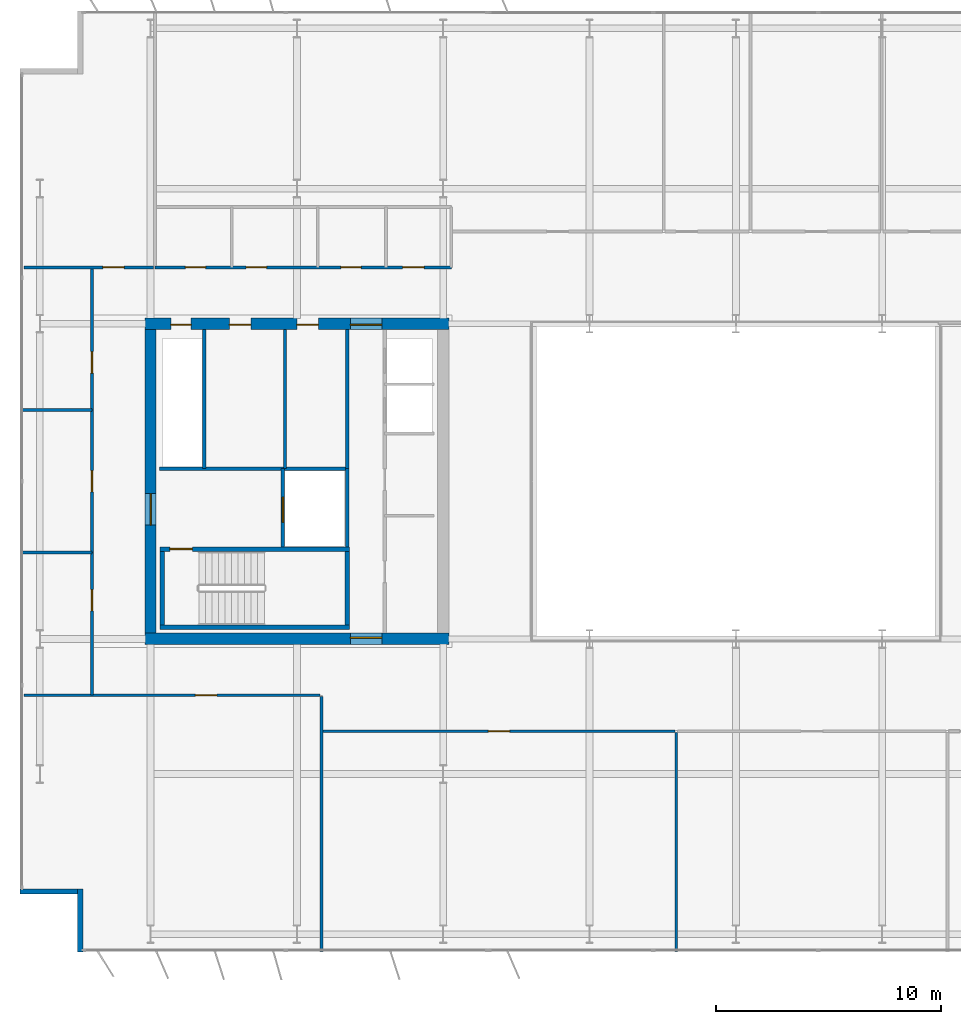
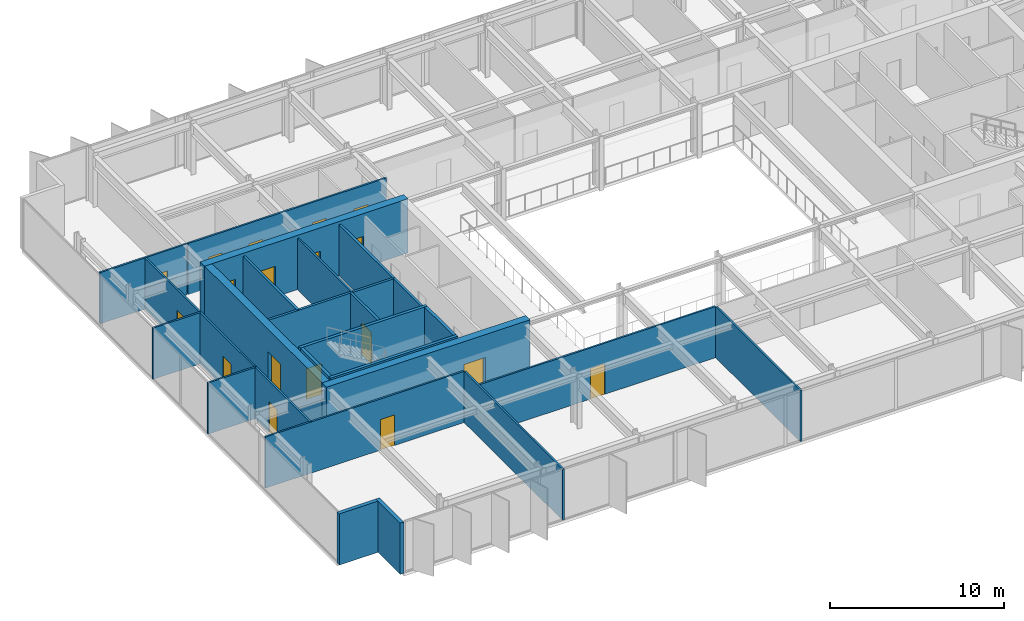
# One storey, part 11 of 19: 26 walls, 18 doors, 18 openings.
"""IFC4 building model written with IfcOpenShell, lengths in metres."""

from ifc_helpers import new_model, si_unit, direction, frame, frame_2d, origin, place, context, subcontext, project, spatial, rectangle, extrude, material, layer, layer_set, type_object, element, fill, save


model = new_model("IFC4")

# Units and contexts
model_context = context("Model", 3, precision=1e-05, world=origin(), true_north=direction((0.0, 1.0)))
body_context = subcontext(model_context, "Body", "Model", "MODEL_VIEW")
ifc_project = project(units=[si_unit("LENGTHUNIT", "METRE"), si_unit("AREAUNIT", "SQUARE_METRE"), si_unit("VOLUMEUNIT", "CUBIC_METRE"), si_unit("PLANEANGLEUNIT", "RADIAN"), si_unit("MASSUNIT", "GRAM", prefix="KILO")], contexts=[model_context])

# Site, building, storey
site_placement = place(None, origin())
site = spatial("IfcSite", under=ifc_project, at=site_placement, CompositionType="ELEMENT")
building_placement = place(site_placement, origin())
building = spatial("IfcBuilding", under=site, at=building_placement, Name="Putna Gate Headquarters", CompositionType="ELEMENT")
storey_placement = place(building_placement, frame((0.0, 0.0, 255.60009765625)))
storey = spatial("IfcBuildingStorey", under=building, at=storey_placement, Name="L64", CompositionType="ELEMENT", Elevation=255.60009765625)

# Wall, opening, door
ifc_material_1 = material(Name="Concrete C50/60", Category="concrete")
ifc_layer_1 = layer(ifc_material_1, 0.5)
ifc_layer_set_1 = layer_set([ifc_layer_1], Name="Concrete C50/60")
wall_type_1 = type_object("IfcWallType", Name="WALL-CORE-500", PredefinedType="SHEAR", material=ifc_layer_set_1)
wall_1_placement = place(storey_placement, frame((12.75, 19.0, 0.0), z_axis=(0.0, 0.0, 1.0), x_axis=(1.0, 0.0, 0.0)))
wall_1 = element("IfcWall", 1, at=wall_1_placement, inside=storey, type_object=wall_type_1, Name="L64 WC Split Core Shear Wall S", PredefinedType="SHEAR", context=body_context, shape_type="SweptSolid", body=[
    extrude(rectangle(XDim=13.5, YDim=0.5, at=frame_2d((6.75, 0.0))), origin(), (0.0, 0.0, 1.0), 3.7998046875),
])
opening_1_placement = place(wall_1_placement, frame((9.1298828125, 0.0, 0.0)))
opening_1 = element("IfcOpeningElement", 2, at=opening_1_placement, cuts=wall_1, Name="Opening FDD-140", PredefinedType="OPENING", context=body_context, shape_type="SweptSolid", body=[
    extrude(rectangle(XDim=1.39990234375, YDim=2.199951171875, at=frame_2d((0.699951171875, 1.10009765625))), frame((0.0, 0.260009765625, 0.0), z_axis=(0.0, -1.0, 0.0), x_axis=(1.0, 0.0, 0.0)), (0.0, 0.0, 1.0), 0.52001953125),
])
ifc_material_2 = material(Name="Double steel fire door", Category="steel")
door_type_1 = type_object("IfcDoorType", Name="DOOR-FIRE-DBL-1400", OperationType="DOUBLE_DOOR_SINGLE_SWING", PredefinedType="DOOR", material=ifc_material_2)
door_1_placement = place(opening_1_placement, origin())
door_1 = element("IfcDoor", 3, at=door_1_placement, inside=storey, type_object=door_type_1, Name="L64 West Lift Lobby South Door", OperationType="DOUBLE_DOOR_SINGLE_SWING", OverallHeight=2.199951171875, OverallWidth=1.39990234375, PredefinedType="DOOR", context=body_context, shape_type="SweptSolid", body=[
    extrude(rectangle(XDim=1.39990234375, YDim=2.199951171875, at=frame_2d((0.699951171875, 1.10009765625))), frame((0.0, 0.0751953125, 0.0), z_axis=(0.0, -1.0, 0.0), x_axis=(1.0, 0.0, 0.0)), (0.0, 0.0, 1.0), 0.050048828125),
])
fill(opening_1, door_1)

# Wall, openings, doors
wall_2_placement = place(storey_placement, frame((12.75, 33.0, 0.0), z_axis=(0.0, 0.0, 1.0), x_axis=(1.0, 0.0, 0.0)))
wall_2 = element("IfcWall", 4, at=wall_2_placement, inside=storey, type_object=wall_type_1, Name="L64 WC Split Core Shear Wall N", PredefinedType="SHEAR", context=body_context, shape_type="SweptSolid", body=[
    extrude(rectangle(XDim=13.5, YDim=0.5, at=frame_2d((6.75, 0.0))), origin(), (0.0, 0.0, 1.0), 3.7998046875),
])
opening_2_placement = place(wall_2_placement, frame((1.14990234375, 0.0, 0.0)))
opening_2 = element("IfcOpeningElement", 5, at=opening_2_placement, cuts=wall_2, Name="Opening RD-90", PredefinedType="OPENING", context=body_context, shape_type="SweptSolid", body=[
    extrude(rectangle(XDim=0.89990234375, YDim=2.14990234375, at=frame_2d((0.449951171875, 1.074951171875))), frame((0.0, 0.260009765625, 0.0), z_axis=(0.0, -1.0, 0.0), x_axis=(1.0, 0.0, 0.0)), (0.0, 0.0, 1.0), 0.52001953125),
])
opening_3_placement = place(wall_2_placement, frame((3.75, 0.0, 0.0)))
opening_3 = element("IfcOpeningElement", 6, at=opening_3_placement, cuts=wall_2, Name="Opening IDS-95", PredefinedType="OPENING", context=body_context, shape_type="SweptSolid", body=[
    extrude(rectangle(XDim=0.949951171875, YDim=2.14990234375, at=frame_2d((0.47509765625, 1.074951171875))), frame((0.0, 0.260009765625, 0.0), z_axis=(0.0, -1.0, 0.0), x_axis=(1.0, 0.0, 0.0)), (0.0, 0.0, 1.0), 0.52001953125),
])
opening_4_placement = place(wall_2_placement, frame((6.75, 0.0, 0.0)))
opening_4 = element("IfcOpeningElement", 7, at=opening_4_placement, cuts=wall_2, Name="Opening IDS-95", PredefinedType="OPENING", context=body_context, shape_type="SweptSolid", body=[
    extrude(rectangle(XDim=0.949951171875, YDim=2.14990234375, at=frame_2d((0.47509765625, 1.074951171875))), frame((0.0, 0.260009765625, 0.0), z_axis=(0.0, -1.0, 0.0), x_axis=(1.0, 0.0, 0.0)), (0.0, 0.0, 1.0), 0.52001953125),
])
opening_5_placement = place(wall_2_placement, frame((9.1298828125, 0.0, 0.0)))
opening_5 = element("IfcOpeningElement", 8, at=opening_5_placement, cuts=wall_2, Name="Opening FDD-140", PredefinedType="OPENING", context=body_context, shape_type="SweptSolid", body=[
    extrude(rectangle(XDim=1.39990234375, YDim=2.199951171875, at=frame_2d((0.699951171875, 1.10009765625))), frame((0.0, 0.260009765625, 0.0), z_axis=(0.0, -1.0, 0.0), x_axis=(1.0, 0.0, 0.0)), (0.0, 0.0, 1.0), 0.52001953125),
])
door_2_placement = place(opening_5_placement, origin())
door_2 = element("IfcDoor", 9, at=door_2_placement, inside=storey, type_object=door_type_1, Name="L64 West Lift Lobby North Door", OperationType="DOUBLE_DOOR_SINGLE_SWING", OverallHeight=2.199951171875, OverallWidth=1.39990234375, PredefinedType="DOOR", context=body_context, shape_type="SweptSolid", body=[
    extrude(rectangle(XDim=1.39990234375, YDim=2.199951171875, at=frame_2d((0.699951171875, 1.10009765625))), frame((0.0, -0.02490234375, 0.0), z_axis=(0.0, -1.0, 0.0), x_axis=(1.0, 0.0, 0.0)), (0.0, 0.0, 1.0), 0.050048828125),
])
fill(opening_5, door_2)
ifc_material_3 = material(Name="Fire-rated service timber door", Category="wood")
door_type_2 = type_object("IfcDoorType", Name="DOOR-INT-950", OperationType="NOTDEFINED", PredefinedType="DOOR", material=ifc_material_3)
door_3_placement = place(opening_3_placement, origin())
door_3 = element("IfcDoor", 10, at=door_3_placement, inside=storey, type_object=door_type_2, Name="L64 Cleaner Store Door", OperationType="SINGLE_SWING_LEFT", OverallHeight=2.14990234375, OverallWidth=0.949951171875, PredefinedType="DOOR", context=body_context, shape_type="SweptSolid", body=[
    extrude(rectangle(XDim=0.949951171875, YDim=2.14990234375, at=frame_2d((0.47509765625, 1.074951171875))), frame((0.0, -0.02490234375, 0.0), z_axis=(0.0, -1.0, 0.0), x_axis=(1.0, 0.0, 0.0)), (0.0, 0.0, 1.0), 0.050048828125),
])
fill(opening_3, door_3)
door_4_placement = place(opening_4_placement, origin())
door_4 = element("IfcDoor", 11, at=door_4_placement, inside=storey, type_object=door_type_2, Name="L64 Comms Plant Door", OperationType="SINGLE_SWING_RIGHT", OverallHeight=2.14990234375, OverallWidth=0.949951171875, PredefinedType="DOOR", context=body_context, shape_type="SweptSolid", body=[
    extrude(rectangle(XDim=0.949951171875, YDim=2.14990234375, at=frame_2d((0.47509765625, 1.074951171875))), frame((0.0, -0.02490234375, 0.0), z_axis=(0.0, -1.0, 0.0), x_axis=(1.0, 0.0, 0.0)), (0.0, 0.0, 1.0), 0.050048828125),
])
fill(opening_4, door_4)
ifc_material_4 = material(Name="Steel riser access fire door", Category="steel")
door_type_3 = type_object("IfcDoorType", Name="DOOR-RISER-900", OperationType="NOTDEFINED", PredefinedType="DOOR", material=ifc_material_4)
door_5_placement = place(opening_2_placement, origin())
door_5 = element("IfcDoor", 12, at=door_5_placement, inside=storey, type_object=door_type_3, Name="L64 West Riser Access Door", OperationType="SINGLE_SWING_RIGHT", OverallHeight=2.14990234375, OverallWidth=0.89990234375, PredefinedType="DOOR", context=body_context, shape_type="SweptSolid", body=[
    extrude(rectangle(XDim=0.89990234375, YDim=2.14990234375, at=frame_2d((0.449951171875, 1.074951171875))), frame((0.0, -0.02490234375, 0.0), z_axis=(0.0, -1.0, 0.0), x_axis=(1.0, 0.0, 0.0)), (0.0, 0.0, 1.0), 0.050048828125),
])
fill(opening_2, door_5)

# Wall, opening, door
wall_3_placement = place(storey_placement, frame((13.0, 19.25, 0.0), z_axis=(0.0, 0.0, 1.0), x_axis=(0.0, 1.0, 0.0)))
wall_3 = element("IfcWall", 13, at=wall_3_placement, inside=storey, type_object=wall_type_1, Name="L64 WC Split Core Shear Wall W", PredefinedType="SHEAR", context=body_context, shape_type="SweptSolid", body=[
    extrude(rectangle(XDim=13.5, YDim=0.5, at=frame_2d((6.75, 0.0))), origin(), (0.0, 0.0, 1.0), 3.7998046875),
])
opening_6_placement = place(wall_3_placement, frame((4.800048828125, 0.0, 0.0)))
opening_6 = element("IfcOpeningElement", 14, at=opening_6_placement, cuts=wall_3, Name="Opening FDD-140", PredefinedType="OPENING", context=body_context, shape_type="SweptSolid", body=[
    extrude(rectangle(XDim=1.39990234375, YDim=2.199951171875, at=frame_2d((0.699951171875, 1.10009765625))), frame((0.0, 0.260009765625, 0.0), z_axis=(0.0, -1.0, 0.0), x_axis=(1.0, 0.0, 0.0)), (0.0, 0.0, 1.0), 0.52001953125),
])
door_6_placement = place(opening_6_placement, origin())
door_6 = element("IfcDoor", 15, at=door_6_placement, inside=storey, type_object=door_type_1, Name="L64 West Firefighting Lobby Door", OperationType="DOUBLE_DOOR_SINGLE_SWING", OverallHeight=2.199951171875, OverallWidth=1.39990234375, PredefinedType="DOOR", context=body_context, shape_type="SweptSolid", body=[
    extrude(rectangle(XDim=1.39990234375, YDim=2.199951171875, at=frame_2d((0.699951171875, 1.10009765625))), frame((0.0, 0.02490234375, 0.0), z_axis=(0.0, -1.0, 0.0), x_axis=(1.0, 0.0, 0.0)), (0.0, 0.0, 1.0), 0.050048828125),
])
fill(opening_6, door_6)

# Walls
ifc_material_5 = material(Name="Precast concrete C40/50", Category="concrete")
ifc_layer_2 = layer(ifc_material_5, 0.239990234375)
ifc_layer_set_2 = layer_set([ifc_layer_2], Name="Precast concrete C40/50")
wall_type_2 = type_object("IfcWallType", Name="WALL-EXT-TERR-240", PredefinedType="STANDARD", material=ifc_layer_set_2)
wall_4_placement = place(storey_placement, frame((9.8798828125, 5.10009765625, 0.0), z_axis=(0.0, 0.0, 1.0), x_axis=(0.0, 1.0, 0.0)))
element("IfcWall", 16, at=wall_4_placement, inside=storey, type_object=wall_type_2, Name="L64 Corner Notch Return Wall SW-V", PredefinedType="STANDARD", context=body_context, shape_type="SweptSolid", body=[
    extrude(rectangle(XDim=2.7998046875, YDim=0.239990234375, at=frame_2d((1.39990234375, 0.0))), origin(), (0.0, 0.0, 1.0), 3.587890625),
])
wall_5_placement = place(storey_placement, frame((10.0, 7.780029296875, 0.0), z_axis=(0.0, 0.0, 1.0), x_axis=(-1.0, 0.0, 0.0)))
element("IfcWall", 17, at=wall_5_placement, inside=storey, type_object=wall_type_2, Name="L64 Corner Notch Return Wall SW-H", PredefinedType="STANDARD", context=body_context, shape_type="SweptSolid", body=[
    extrude(rectangle(XDim=2.800048828125, YDim=0.239990234375, at=frame_2d((1.39990234375, 0.0))), origin(), (0.0, 0.0, 1.0), 3.587890625),
])
ifc_material_6 = material(Name="Acoustic gypsum board on metal stud")
ifc_layer_3 = layer(ifc_material_6, 0.1201171875)
ifc_layer_set_3 = layer_set([ifc_layer_3], Name="Acoustic gypsum board on metal stud")
wall_type_3 = type_object("IfcWallType", Name="WALL-PART-120", PredefinedType="PARTITIONING", material=ifc_layer_set_3)
wall_6_placement = place(storey_placement, frame((20.59716796875, 5.1201171875, 0.0), z_axis=(0.0, 0.0, 1.0), x_axis=(0.0, 1.0, 0.0)))
element("IfcWall", 18, at=wall_6_placement, inside=storey, type_object=wall_type_3, Name="L64 Interior Wall PART-L64-SB-DIV-01", PredefinedType="PARTITIONING", context=body_context, shape_type="SweptSolid", body=[
    extrude(rectangle(XDim=11.31982421875, YDim=0.1201171875, at=frame_2d((5.659912109375, 0.0))), origin(), (0.0, 0.0, 1.0), 3.587890625),
])
wall_7_placement = place(storey_placement, frame((36.356689453125, 5.1201171875, 0.0), z_axis=(0.0, 0.0, 1.0), x_axis=(0.0, 1.0, 0.0)))
element("IfcWall", 19, at=wall_7_placement, inside=storey, type_object=wall_type_3, Name="L64 Interior Wall PART-L64-SB-DIV-02", PredefinedType="PARTITIONING", context=body_context, shape_type="SweptSolid", body=[
    extrude(rectangle(XDim=9.719970703125, YDim=0.1201171875, at=frame_2d((4.85986328125, 0.0))), origin(), (0.0, 0.0, 1.0), 3.587890625),
])
for number, where, z_axis, x_axis, name in (
    (20, (7.219970703125, 22.833251953125, 0.0), (0.0, 0.0, 1.0), (1.0, 0.0, 0.0), "L64 Interior Wall PART-L64-WW-DIV-1"),
    (21, (7.219970703125, 29.166748046875, 0.0), (0.0, 0.0, 1.0), (1.0, 0.0, 0.0), "L64 Interior Wall PART-L64-WW-DIV-2"),
):
    element("IfcWall", number, at=place(storey_placement, frame(where, z_axis=z_axis, x_axis=x_axis)), inside=storey, type_object=wall_type_3, Name=name, PredefinedType="PARTITIONING", context=body_context, shape_type="SweptSolid", body=[
        extrude(rectangle(XDim=3.179931640625, YDim=0.1201171875, at=frame_2d((1.58984375, 0.0))), origin(), (0.0, 0.0, 1.0), 3.587890625),
    ])
ifc_material_7 = material(Name="Fire-rated gypsum board on metal stud")
ifc_layer_4 = layer(ifc_material_7, 0.1201171875)
ifc_layer_set_4 = layer_set([ifc_layer_4], Name="Fire-rated gypsum board on metal stud")
wall_type_4 = type_object("IfcWallType", Name="WALL-PART-120-RATED", PredefinedType="PARTITIONING", material=ifc_layer_set_4)
wall_8_placement = place(storey_placement, frame((18.969970703125, 26.56005859375, 0.0), z_axis=(0.0, 0.0, 1.0), x_axis=(0.0, 1.0, 0.0)))
element("IfcWall", 22, at=wall_8_placement, inside=storey, type_object=wall_type_4, Name="L64 Interior Wall CWINT-L64-WC-K0-DIV", PredefinedType="PARTITIONING", context=body_context, shape_type="SweptSolid", body=[
    extrude(rectangle(XDim=6.18994140625, YDim=0.1201171875, at=frame_2d((3.094970703125, 0.0))), origin(), (0.0, 0.0, 1.0), 3.587890625),
])

# Wall, openings, doors
wall_9_placement = place(storey_placement, frame((13.199951171875, 35.5, 0.0), z_axis=(0.0, 0.0, 1.0), x_axis=(1.0, 0.0, 0.0)))
wall_9 = element("IfcWall", 23, at=wall_9_placement, inside=storey, type_object=wall_type_4, Name="L64 Interior Wall PART-L64-SAN-CW", PredefinedType="PARTITIONING", context=body_context, shape_type="SweptSolid", body=[
    extrude(rectangle(XDim=13.16015625, YDim=0.1201171875, at=frame_2d((6.580078125, 0.0))), origin(), (0.0, 0.0, 1.0), 3.587890625),
])
opening_7_placement = place(wall_9_placement, frame((1.35009765625, 0.0, 0.0)))
opening_7 = element("IfcOpeningElement", 24, at=opening_7_placement, cuts=wall_9, Name="Opening FD-90", PredefinedType="OPENING", context=body_context, shape_type="SweptSolid", body=[
    extrude(rectangle(XDim=0.89990234375, YDim=2.14990234375, at=frame_2d((0.449951171875, 1.074951171875))), frame((0.0, 0.070068359375, 0.0), z_axis=(0.0, -1.0, 0.0), x_axis=(1.0, 0.0, 0.0)), (0.0, 0.0, 1.0), 0.14013671875),
])
opening_8_placement = place(wall_9_placement, frame((4.050048828125, 0.0, 0.0)))
opening_8 = element("IfcOpeningElement", 25, at=opening_8_placement, cuts=wall_9, Name="Opening FD-90", PredefinedType="OPENING", context=body_context, shape_type="SweptSolid", body=[
    extrude(rectangle(XDim=0.89990234375, YDim=2.14990234375, at=frame_2d((0.449951171875, 1.074951171875))), frame((0.0, 0.070068359375, 0.0), z_axis=(0.0, -1.0, 0.0), x_axis=(1.0, 0.0, 0.0)), (0.0, 0.0, 1.0), 0.14013671875),
])
opening_9_placement = place(wall_9_placement, frame((8.25, 0.0, 0.0)))
opening_9 = element("IfcOpeningElement", 26, at=opening_9_placement, cuts=wall_9, Name="Opening FD-90", PredefinedType="OPENING", context=body_context, shape_type="SweptSolid", body=[
    extrude(rectangle(XDim=0.89990234375, YDim=2.14990234375, at=frame_2d((0.449951171875, 1.074951171875))), frame((0.0, 0.070068359375, 0.0), z_axis=(0.0, -1.0, 0.0), x_axis=(1.0, 0.0, 0.0)), (0.0, 0.0, 1.0), 0.14013671875),
])
opening_10_placement = place(wall_9_placement, frame((11.0, 0.0, 0.0)))
opening_10 = element("IfcOpeningElement", 27, at=opening_10_placement, cuts=wall_9, Name="Opening FD-95", PredefinedType="OPENING", context=body_context, shape_type="SweptSolid", body=[
    extrude(rectangle(XDim=0.949951171875, YDim=2.14990234375, at=frame_2d((0.47509765625, 1.074951171875))), frame((0.0, 0.070068359375, 0.0), z_axis=(0.0, -1.0, 0.0), x_axis=(1.0, 0.0, 0.0)), (0.0, 0.0, 1.0), 0.14013671875),
])
ifc_material_8 = material(Name="Acoustic washroom fire door")
door_type_4 = type_object("IfcDoorType", Name="DOOR-FIRE-900", OperationType="NOTDEFINED", PredefinedType="DOOR", material=ifc_material_8)
door_7_placement = place(opening_7_placement, origin())
door_7 = element("IfcDoor", 28, at=door_7_placement, inside=storey, type_object=door_type_4, Name="L64 Washroom Male Door", OperationType="SINGLE_SWING_RIGHT", OverallHeight=2.14990234375, OverallWidth=0.89990234375, PredefinedType="DOOR", context=body_context, shape_type="SweptSolid", body=[
    extrude(rectangle(XDim=0.89990234375, YDim=2.14990234375, at=frame_2d((0.449951171875, 1.074951171875))), frame((0.0, 0.02490234375, 0.0), z_axis=(0.0, -1.0, 0.0), x_axis=(1.0, 0.0, 0.0)), (0.0, 0.0, 1.0), 0.050048828125),
])
fill(opening_7, door_7)
door_8_placement = place(opening_8_placement, origin())
door_8 = element("IfcDoor", 29, at=door_8_placement, inside=storey, type_object=door_type_4, Name="L64 Washroom Female Door", OperationType="SINGLE_SWING_LEFT", OverallHeight=2.14990234375, OverallWidth=0.89990234375, PredefinedType="DOOR", context=body_context, shape_type="SweptSolid", body=[
    extrude(rectangle(XDim=0.89990234375, YDim=2.14990234375, at=frame_2d((0.449951171875, 1.074951171875))), frame((0.0, 0.02490234375, 0.0), z_axis=(0.0, -1.0, 0.0), x_axis=(1.0, 0.0, 0.0)), (0.0, 0.0, 1.0), 0.050048828125),
])
fill(opening_8, door_8)
door_9_placement = place(opening_9_placement, origin())
door_9 = element("IfcDoor", 30, at=door_9_placement, inside=storey, type_object=door_type_4, Name="L64 Accessible WC Door", OperationType="SINGLE_SWING_RIGHT", OverallHeight=2.14990234375, OverallWidth=0.89990234375, PredefinedType="DOOR", context=body_context, shape_type="SweptSolid", body=[
    extrude(rectangle(XDim=0.89990234375, YDim=2.14990234375, at=frame_2d((0.449951171875, 1.074951171875))), frame((0.0, 0.02490234375, 0.0), z_axis=(0.0, -1.0, 0.0), x_axis=(1.0, 0.0, 0.0)), (0.0, 0.0, 1.0), 0.050048828125),
])
fill(opening_9, door_9)
ifc_material_9 = material(Name="Acoustic timber fire door", Category="wood")
door_type_5 = type_object("IfcDoorType", Name="DOOR-FIRE-950", OperationType="NOTDEFINED", PredefinedType="DOOR", material=ifc_material_9)
door_10_placement = place(opening_10_placement, origin())
door_10 = element("IfcDoor", 31, at=door_10_placement, inside=storey, type_object=door_type_5, Name="L64 Staff Pantry and Tea Point Door", OperationType="SINGLE_SWING_LEFT", OverallHeight=2.14990234375, OverallWidth=0.949951171875, PredefinedType="DOOR", context=body_context, shape_type="SweptSolid", body=[
    extrude(rectangle(XDim=0.949951171875, YDim=2.14990234375, at=frame_2d((0.47509765625, 1.074951171875))), frame((0.0, 0.02490234375, 0.0), z_axis=(0.0, -1.0, 0.0), x_axis=(1.0, 0.0, 0.0)), (0.0, 0.0, 1.0), 0.050048828125),
])
fill(opening_10, door_10)

# Wall, opening, door
wall_10_placement = place(storey_placement, frame((7.3798828125, 35.5, 0.0), z_axis=(0.0, 0.0, 1.0), x_axis=(1.0, 0.0, 0.0)))
wall_10 = element("IfcWall", 32, at=wall_10_placement, inside=storey, type_object=wall_type_4, Name="L64 Interior Wall PART-L64-NB-CW-01", PredefinedType="PARTITIONING", context=body_context, shape_type="SweptSolid", body=[
    extrude(rectangle(XDim=5.760009765625, YDim=0.1201171875, at=frame_2d((2.8798828125, 0.0))), origin(), (0.0, 0.0, 1.0), 3.587890625),
])
opening_11_placement = place(wall_10_placement, frame((3.5, 0.0, 0.0)))
opening_11 = element("IfcOpeningElement", 33, at=opening_11_placement, cuts=wall_10, Name="Opening FD-95", PredefinedType="OPENING", context=body_context, shape_type="SweptSolid", body=[
    extrude(rectangle(XDim=0.949951171875, YDim=2.14990234375, at=frame_2d((0.47509765625, 1.074951171875))), frame((0.0, 0.070068359375, 0.0), z_axis=(0.0, -1.0, 0.0), x_axis=(1.0, 0.0, 0.0)), (0.0, 0.0, 1.0), 0.14013671875),
])
door_11_placement = place(opening_11_placement, origin())
door_11 = element("IfcDoor", 34, at=door_11_placement, inside=storey, type_object=door_type_5, Name="L64 Collaborative Breakout Lounge 1 Door", OperationType="SINGLE_SWING_RIGHT", OverallHeight=2.14990234375, OverallWidth=0.949951171875, PredefinedType="DOOR", context=body_context, shape_type="SweptSolid", body=[
    extrude(rectangle(XDim=0.949951171875, YDim=2.14990234375, at=frame_2d((0.47509765625, 1.074951171875))), frame((0.0, 0.02490234375, 0.0), z_axis=(0.0, -1.0, 0.0), x_axis=(1.0, 0.0, 0.0)), (0.0, 0.0, 1.0), 0.050048828125),
])
fill(opening_11, door_11)

wall_11_placement = place(storey_placement, frame((7.3798828125, 16.5, 0.0), z_axis=(0.0, 0.0, 1.0), x_axis=(1.0, 0.0, 0.0)))
wall_11 = element("IfcWall", 35, at=wall_11_placement, inside=storey, type_object=wall_type_4, Name="L64 Interior Wall PART-L64-SB-CW-01", PredefinedType="PARTITIONING", context=body_context, shape_type="SweptSolid", body=[
    extrude(rectangle(XDim=13.1572265625, YDim=0.1201171875, at=frame_2d((6.57861328125, 0.0))), origin(), (0.0, 0.0, 1.0), 3.587890625),
])
opening_12_placement = place(wall_11_placement, frame((7.613525390625, 0.0, 0.0)))
opening_12 = element("IfcOpeningElement", 36, at=opening_12_placement, cuts=wall_11, Name="Opening FD-95", PredefinedType="OPENING", context=body_context, shape_type="SweptSolid", body=[
    extrude(rectangle(XDim=0.949951171875, YDim=2.14990234375, at=frame_2d((0.47509765625, 1.074951171875))), frame((0.0, 0.070068359375, 0.0), z_axis=(0.0, -1.0, 0.0), x_axis=(1.0, 0.0, 0.0)), (0.0, 0.0, 1.0), 0.14013671875),
])
door_12_placement = place(opening_12_placement, origin())
door_12 = element("IfcDoor", 37, at=door_12_placement, inside=storey, type_object=door_type_5, Name="L64 Collaborative Breakout Lounge 3 Door", OperationType="SINGLE_SWING_LEFT", OverallHeight=2.14990234375, OverallWidth=0.949951171875, PredefinedType="DOOR", context=body_context, shape_type="SweptSolid", body=[
    extrude(rectangle(XDim=0.949951171875, YDim=2.14990234375, at=frame_2d((0.47509765625, 1.074951171875))), frame((0.0, 0.02490234375, 0.0), z_axis=(0.0, -1.0, 0.0), x_axis=(1.0, 0.0, 0.0)), (0.0, 0.0, 1.0), 0.050048828125),
])
fill(opening_12, door_12)

wall_12_placement = place(storey_placement, frame((20.6572265625, 14.89990234375, 0.0), z_axis=(0.0, 0.0, 1.0), x_axis=(1.0, 0.0, 0.0)))
wall_12 = element("IfcWall", 38, at=wall_12_placement, inside=storey, type_object=wall_type_4, Name="L64 Interior Wall PART-L64-SB-CW-02", PredefinedType="PARTITIONING", context=body_context, shape_type="SweptSolid", body=[
    extrude(rectangle(XDim=15.639404296875, YDim=0.1201171875, at=frame_2d((7.81982421875, 0.0))), origin(), (0.0, 0.0, 1.0), 3.587890625),
])
opening_13_placement = place(wall_12_placement, frame((7.3447265625, 0.0, 0.0)))
opening_13 = element("IfcOpeningElement", 39, at=opening_13_placement, cuts=wall_12, Name="Opening FD-95", PredefinedType="OPENING", context=body_context, shape_type="SweptSolid", body=[
    extrude(rectangle(XDim=0.949951171875, YDim=2.14990234375, at=frame_2d((0.47509765625, 1.074951171875))), frame((0.0, 0.070068359375, 0.0), z_axis=(0.0, -1.0, 0.0), x_axis=(1.0, 0.0, 0.0)), (0.0, 0.0, 1.0), 0.14013671875),
])
door_13_placement = place(opening_13_placement, origin())
door_13 = element("IfcDoor", 40, at=door_13_placement, inside=storey, type_object=door_type_5, Name="L64 Cellular Office 6 Door", OperationType="SINGLE_SWING_RIGHT", OverallHeight=2.14990234375, OverallWidth=0.949951171875, PredefinedType="DOOR", context=body_context, shape_type="SweptSolid", body=[
    extrude(rectangle(XDim=0.949951171875, YDim=2.14990234375, at=frame_2d((0.47509765625, 1.074951171875))), frame((0.0, 0.02490234375, 0.0), z_axis=(0.0, -1.0, 0.0), x_axis=(1.0, 0.0, 0.0)), (0.0, 0.0, 1.0), 0.050048828125),
])
fill(opening_13, door_13)

wall_13_placement = place(storey_placement, frame((10.39990234375, 16.5, 0.0), z_axis=(0.0, 0.0, 1.0), x_axis=(0.0, 1.0, 0.0)))
wall_13 = element("IfcWall", 41, at=wall_13_placement, inside=storey, type_object=wall_type_4, Name="L64 Interior Wall PART-L64-WW-CW-1", PredefinedType="PARTITIONING", context=body_context, shape_type="SweptSolid", body=[
    extrude(rectangle(XDim=6.333251953125, YDim=0.1201171875, at=frame_2d((3.16650390625, 0.0))), origin(), (0.0, 0.0, 1.0), 3.587890625),
])
opening_14_placement = place(wall_13_placement, frame((3.74169921875, 0.0, 0.0)))
opening_14 = element("IfcOpeningElement", 42, at=opening_14_placement, cuts=wall_13, Name="Opening FD-95", PredefinedType="OPENING", context=body_context, shape_type="SweptSolid", body=[
    extrude(rectangle(XDim=0.949951171875, YDim=2.14990234375, at=frame_2d((0.47509765625, 1.074951171875))), frame((0.0, 0.070068359375, 0.0), z_axis=(0.0, -1.0, 0.0), x_axis=(1.0, 0.0, 0.0)), (0.0, 0.0, 1.0), 0.14013671875),
])
door_14_placement = place(opening_14_placement, origin())
door_14 = element("IfcDoor", 43, at=door_14_placement, inside=storey, type_object=door_type_5, Name="L64 West Executive Office 1 Door", OperationType="SINGLE_SWING_RIGHT", OverallHeight=2.14990234375, OverallWidth=0.949951171875, PredefinedType="DOOR", context=body_context, shape_type="SweptSolid", body=[
    extrude(rectangle(XDim=0.949951171875, YDim=2.14990234375, at=frame_2d((0.47509765625, 1.074951171875))), frame((0.0, 0.02490234375, 0.0), z_axis=(0.0, -1.0, 0.0), x_axis=(1.0, 0.0, 0.0)), (0.0, 0.0, 1.0), 0.050048828125),
])
fill(opening_14, door_14)

wall_14_placement = place(storey_placement, frame((10.39990234375, 22.833251953125, 0.0), z_axis=(0.0, 0.0, 1.0), x_axis=(0.0, 1.0, 0.0)))
wall_14 = element("IfcWall", 44, at=wall_14_placement, inside=storey, type_object=wall_type_4, Name="L64 Interior Wall PART-L64-WW-CW-2", PredefinedType="PARTITIONING", context=body_context, shape_type="SweptSolid", body=[
    extrude(rectangle(XDim=6.33349609375, YDim=0.1201171875, at=frame_2d((3.166748046875, 0.0))), origin(), (0.0, 0.0, 1.0), 3.587890625),
])
opening_15_placement = place(wall_14_placement, frame((2.691650390625, 0.0, 0.0)))
opening_15 = element("IfcOpeningElement", 45, at=opening_15_placement, cuts=wall_14, Name="Opening FD-95", PredefinedType="OPENING", context=body_context, shape_type="SweptSolid", body=[
    extrude(rectangle(XDim=0.949951171875, YDim=2.14990234375, at=frame_2d((0.47509765625, 1.074951171875))), frame((0.0, 0.070068359375, 0.0), z_axis=(0.0, -1.0, 0.0), x_axis=(1.0, 0.0, 0.0)), (0.0, 0.0, 1.0), 0.14013671875),
])
door_15_placement = place(opening_15_placement, origin())
door_15 = element("IfcDoor", 46, at=door_15_placement, inside=storey, type_object=door_type_5, Name="L64 West Executive Office 2 Door", OperationType="SINGLE_SWING_LEFT", OverallHeight=2.14990234375, OverallWidth=0.949951171875, PredefinedType="DOOR", context=body_context, shape_type="SweptSolid", body=[
    extrude(rectangle(XDim=0.949951171875, YDim=2.14990234375, at=frame_2d((0.47509765625, 1.074951171875))), frame((0.0, 0.02490234375, 0.0), z_axis=(0.0, -1.0, 0.0), x_axis=(1.0, 0.0, 0.0)), (0.0, 0.0, 1.0), 0.050048828125),
])
fill(opening_15, door_15)

wall_15_placement = place(storey_placement, frame((10.39990234375, 29.166748046875, 0.0), z_axis=(0.0, 0.0, 1.0), x_axis=(0.0, 1.0, 0.0)))
wall_15 = element("IfcWall", 47, at=wall_15_placement, inside=storey, type_object=wall_type_4, Name="L64 Interior Wall PART-L64-WW-CW-3", PredefinedType="PARTITIONING", context=body_context, shape_type="SweptSolid", body=[
    extrude(rectangle(XDim=6.333251953125, YDim=0.1201171875, at=frame_2d((3.16650390625, 0.0))), origin(), (0.0, 0.0, 1.0), 3.587890625),
])
opening_16_placement = place(wall_15_placement, frame((1.6416015625, 0.0, 0.0)))
opening_16 = element("IfcOpeningElement", 48, at=opening_16_placement, cuts=wall_15, Name="Opening FD-95", PredefinedType="OPENING", context=body_context, shape_type="SweptSolid", body=[
    extrude(rectangle(XDim=0.949951171875, YDim=2.14990234375, at=frame_2d((0.47509765625, 1.074951171875))), frame((0.0, 0.070068359375, 0.0), z_axis=(0.0, -1.0, 0.0), x_axis=(1.0, 0.0, 0.0)), (0.0, 0.0, 1.0), 0.14013671875),
])
door_16_placement = place(opening_16_placement, origin())
door_16 = element("IfcDoor", 49, at=door_16_placement, inside=storey, type_object=door_type_5, Name="L64 West Executive Office 3 Door", OperationType="SINGLE_SWING_RIGHT", OverallHeight=2.14990234375, OverallWidth=0.949951171875, PredefinedType="DOOR", context=body_context, shape_type="SweptSolid", body=[
    extrude(rectangle(XDim=0.949951171875, YDim=2.14990234375, at=frame_2d((0.47509765625, 1.074951171875))), frame((0.0, 0.02490234375, 0.0), z_axis=(0.0, -1.0, 0.0), x_axis=(1.0, 0.0, 0.0)), (0.0, 0.0, 1.0), 0.050048828125),
])
fill(opening_16, door_16)

# Wall
ifc_material_10 = material(Name="Concrete C40/50", Category="concrete")
ifc_layer_5 = layer(ifc_material_10, 0.159912109375)
ifc_layer_set_5 = layer_set([ifc_layer_5], Name="Concrete C40/50")
wall_type_5 = type_object("IfcWallType", Name="WALL-SHAFT-160", PredefinedType="STANDARD", material=ifc_layer_set_5)
wall_16_placement = place(storey_placement, frame((21.739990234375, 23.090087890625, 0.0), z_axis=(0.0, 0.0, 1.0), x_axis=(0.0, 1.0, 0.0)))
element("IfcWall", 50, at=wall_16_placement, inside=storey, type_object=wall_type_5, Name="L64 Interior Wall CWINT-L64-WC-FFL-E", PredefinedType="STANDARD", context=body_context, shape_type="SweptSolid", body=[
    extrude(rectangle(XDim=3.469970703125, YDim=0.159912109375, at=frame_2d((1.73486328125, 0.0))), origin(), (0.0, 0.0, 1.0), 3.587890625),
])

# Wall, opening, door
wall_17_placement = place(storey_placement, frame((18.8798828125, 23.090087890625, 0.0), z_axis=(0.0, 0.0, 1.0), x_axis=(0.0, 1.0, 0.0)))
wall_17 = element("IfcWall", 51, at=wall_17_placement, inside=storey, type_object=wall_type_5, Name="L64 Interior Wall CWINT-L64-WC-LF13-W", PredefinedType="STANDARD", context=body_context, shape_type="SweptSolid", body=[
    extrude(rectangle(XDim=3.469970703125, YDim=0.159912109375, at=frame_2d((1.73486328125, 0.0))), origin(), (0.0, 0.0, 1.0), 3.587890625),
])
opening_17_placement = place(wall_17_placement, frame((1.10009765625, 0.0, 0.0)))
opening_17 = element("IfcOpeningElement", 52, at=opening_17_placement, cuts=wall_17, Name="Opening LD-1", PredefinedType="OPENING", context=body_context, shape_type="SweptSolid", body=[
    extrude(rectangle(XDim=1.10009765625, YDim=2.199951171875, at=frame_2d((0.550048828125, 1.10009765625))), frame((0.0, 0.08984375, 0.0), z_axis=(0.0, -1.0, 0.0), x_axis=(1.0, 0.0, 0.0)), (0.0, 0.0, 1.0), 0.179931640625),
])
ifc_material_11 = material(Name="Brushed bronze stainless lift landing door")
door_type_6 = type_object("IfcDoorType", Name="DOOR-LIFT-1100", OperationType="DOUBLE_DOOR_SLIDING", PredefinedType="DOOR", material=ifc_material_11)
door_17_placement = place(opening_17_placement, origin())
door_17 = element("IfcDoor", 53, at=door_17_placement, inside=storey, type_object=door_type_6, Name="L64 Lift Landing Door LD-13", OperationType="DOUBLE_DOOR_SLIDING", OverallHeight=2.199951171875, OverallWidth=1.10009765625, PredefinedType="DOOR", context=body_context, shape_type="SweptSolid", body=[
    extrude(rectangle(XDim=1.10009765625, YDim=2.199951171875, at=frame_2d((0.550048828125, 1.10009765625))), frame((0.0, 0.02490234375, 0.0), z_axis=(0.0, -1.0, 0.0), x_axis=(1.0, 0.0, 0.0)), (0.0, 0.0, 1.0), 0.050048828125),
])
fill(opening_17, door_17)

# Walls
wall_18_placement = place(storey_placement, frame((13.39990234375, 26.56005859375, 0.0), z_axis=(0.0, 0.0, 1.0), x_axis=(1.0, 0.0, 0.0)))
element("IfcWall", 54, at=wall_18_placement, inside=storey, type_object=wall_type_5, Name="L64 Interior Wall CWINT-L64-WC-FFL-N", PredefinedType="STANDARD", context=body_context, shape_type="SweptSolid", body=[
    extrude(rectangle(XDim=8.340087890625, YDim=0.159912109375, at=frame_2d((4.169921875, 0.0))), origin(), (0.0, 0.0, 1.0), 3.587890625),
])
for number, where, z_axis, x_axis, name in (
    (55, (15.3798828125, 26.56005859375, 0.0), (0.0, 0.0, 1.0), (0.0, 1.0, 0.0), "L64 Interior Wall CWINT-L64-WC-RISER-E"),
    (56, (21.739990234375, 26.56005859375, 0.0), (0.0, 0.0, 1.0), (0.0, 1.0, 0.0), "L64 Interior Wall CWINT-L64-WC-LOB-W"),
):
    element("IfcWall", number, at=place(storey_placement, frame(where, z_axis=z_axis, x_axis=x_axis)), inside=storey, type_object=wall_type_5, Name=name, PredefinedType="STANDARD", context=body_context, shape_type="SweptSolid", body=[
        extrude(rectangle(XDim=6.18994140625, YDim=0.159912109375, at=frame_2d((3.094970703125, 0.0))), origin(), (0.0, 0.0, 1.0), 3.587890625),
    ])
ifc_layer_6 = layer(ifc_material_10, 0.199951171875)
ifc_layer_set_6 = layer_set([ifc_layer_6], Name="Concrete C40/50")
wall_type_6 = type_object("IfcWallType", Name="WALL-SHAFT-RC200", PredefinedType="SHEAR", material=ifc_layer_set_6)
wall_19_placement = place(storey_placement, frame((13.409912109375, 19.510009765625, 0.0), z_axis=(0.0, 0.0, 1.0), x_axis=(1.0, 0.0, 0.0)))
element("IfcWall", 57, at=wall_19_placement, inside=storey, type_object=wall_type_6, Name="L64 Stair ST1 Structural Shaft Wall S", PredefinedType="SHEAR", context=body_context, shape_type="SweptSolid", body=[
    extrude(rectangle(XDim=8.43017578125, YDim=0.199951171875, at=frame_2d((4.215087890625, 0.0))), origin(), (0.0, 0.0, 1.0), 3.7998046875),
])

# Wall, opening, door
wall_20_placement = place(storey_placement, frame((13.409912109375, 22.989990234375, 0.0), z_axis=(0.0, 0.0, 1.0), x_axis=(1.0, 0.0, 0.0)))
wall_20 = element("IfcWall", 58, at=wall_20_placement, inside=storey, type_object=wall_type_6, Name="L64 Stair ST1 Structural Shaft Wall N", PredefinedType="SHEAR", context=body_context, shape_type="SweptSolid", body=[
    extrude(rectangle(XDim=8.43017578125, YDim=0.199951171875, at=frame_2d((4.215087890625, 0.0))), origin(), (0.0, 0.0, 1.0), 3.7998046875),
])
opening_18_placement = place(wall_20_placement, frame((0.449951171875, 0.0, 0.0)))
opening_18 = element("IfcOpeningElement", 59, at=opening_18_placement, cuts=wall_20, Name="Opening FD-100", PredefinedType="OPENING", context=body_context, shape_type="SweptSolid", body=[
    extrude(rectangle(XDim=1.0, YDim=2.14990234375, at=frame_2d((0.5, 1.074951171875))), frame((0.0, 0.10986328125, 0.0), z_axis=(0.0, -1.0, 0.0), x_axis=(1.0, 0.0, 0.0)), (0.0, 0.0, 1.0), 0.219970703125),
])
ifc_material_12 = material(Name="Powder-coated steel fire door", Category="steel")
door_type_7 = type_object("IfcDoorType", Name="DOOR-FIRE-1000", OperationType="NOTDEFINED", PredefinedType="DOOR", material=ifc_material_12)
door_18_placement = place(opening_18_placement, origin())
door_18 = element("IfcDoor", 60, at=door_18_placement, inside=storey, type_object=door_type_7, Name="L64 Stair ST1 Fire Door", OperationType="SINGLE_SWING_LEFT", OverallHeight=2.14990234375, OverallWidth=1.0, PredefinedType="DOOR", context=body_context, shape_type="SweptSolid", body=[
    extrude(rectangle(XDim=1.0, YDim=2.14990234375, at=frame_2d((0.5, 1.074951171875))), frame((0.0, 0.02490234375, 0.0), z_axis=(0.0, -1.0, 0.0), x_axis=(1.0, 0.0, 0.0)), (0.0, 0.0, 1.0), 0.050048828125),
])
fill(opening_18, door_18)

# Walls
for number, where, z_axis, x_axis, name in (
    (61, (13.510009765625, 19.610107421875, 0.0), (0.0, 0.0, 1.0), (0.0, 1.0, 0.0), "L64 Stair ST1 Structural Shaft Wall W"),
    (62, (21.739990234375, 19.610107421875, 0.0), (0.0, 0.0, 1.0), (0.0, 1.0, 0.0), "L64 Stair ST1 Structural Shaft Wall E"),
):
    element("IfcWall", number, at=place(storey_placement, frame(where, z_axis=z_axis, x_axis=x_axis)), inside=storey, type_object=wall_type_6, Name=name, PredefinedType="SHEAR", context=body_context, shape_type="SweptSolid", body=[
        extrude(rectangle(XDim=3.27978515625, YDim=0.199951171875, at=frame_2d((1.639892578125, 0.0))), origin(), (0.0, 0.0, 1.0), 3.7998046875),
    ])

save(model, "model.ifc")
